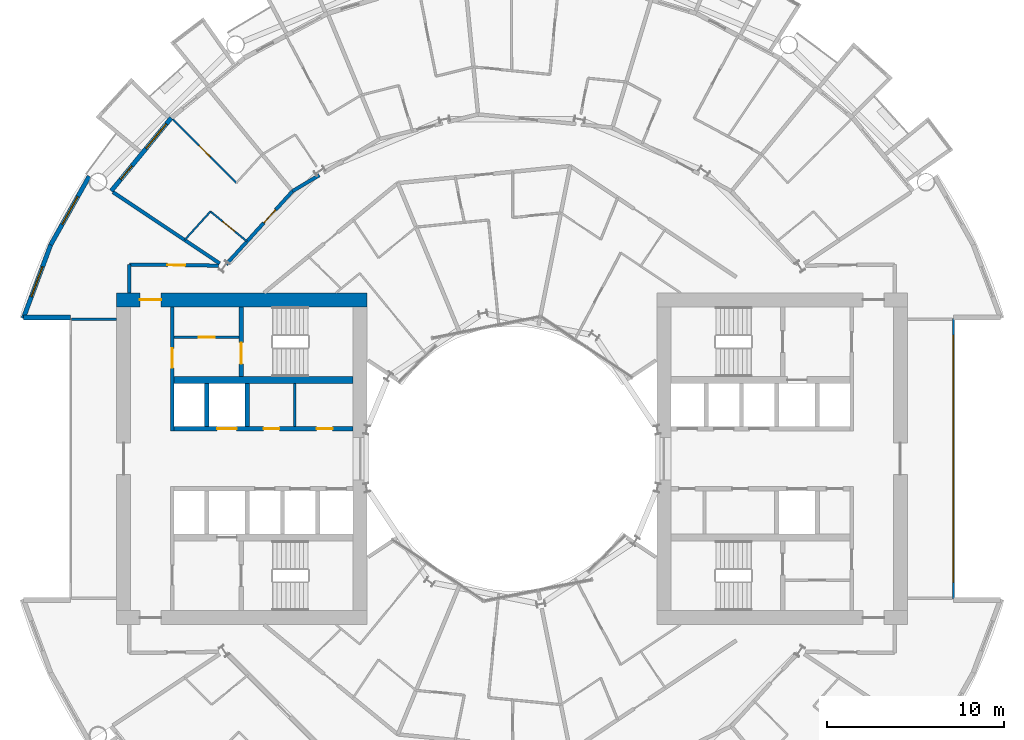
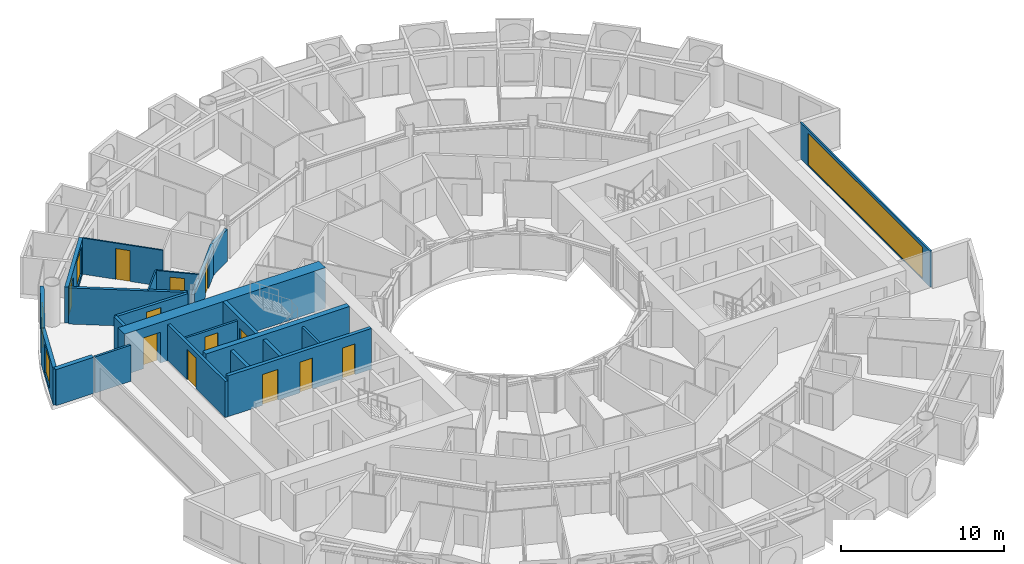
# One storey, part 18 of 26: 23 walls, 12 doors, 4 windows, 16 openings.
"""IFC4 building model written with IfcOpenShell, lengths in metres."""

from ifc_helpers import new_model, si_unit, direction, frame, frame_2d, origin, place, context, subcontext, project, spatial, rectangle, extrude, material, layer, layer_set, type_object, element, fill, save


model = new_model("IFC4")

# Units and contexts
model_context = context("Model", 3, precision=1e-05, world=origin(), true_north=direction((0.0, 1.0)))
body_context = subcontext(model_context, "Body", "Model", "MODEL_VIEW")
ifc_project = project(units=[si_unit("LENGTHUNIT", "METRE"), si_unit("AREAUNIT", "SQUARE_METRE"), si_unit("VOLUMEUNIT", "CUBIC_METRE"), si_unit("PLANEANGLEUNIT", "RADIAN"), si_unit("MASSUNIT", "GRAM", prefix="KILO")], contexts=[model_context])

# Site, building, storey
site_placement = place(None, origin())
site = spatial("IfcSite", under=ifc_project, at=site_placement, CompositionType="ELEMENT")
building_placement = place(site_placement, origin())
building = spatial("IfcBuilding", under=site, at=building_placement, Name="Maasbend Ring Residences", CompositionType="ELEMENT")
storey_placement = place(building_placement, frame((0.0, 0.0, 25.85009765625)))
storey = spatial("IfcBuildingStorey", under=building, at=storey_placement, Name="L06", CompositionType="ELEMENT", Elevation=25.85009765625)

# Wall, openings, doors
ifc_material_1 = material(Name="Concrete C70/85", Category="concrete")
ifc_layer_1 = layer(ifc_material_1, 0.25)
ifc_layer_set_1 = layer_set([ifc_layer_1], Name="Concrete C70/85")
wall_type_1 = type_object("IfcWallType", Name="CORE WALL 250 C70/85", PredefinedType="SHEAR", material=ifc_layer_set_1)
wall_1_placement = place(storey_placement, frame((-19.14990234375, 1.699951171875, 0.0), z_axis=(0.0, 0.0, 1.0), x_axis=(1.0, 0.0, 0.0)))
wall_1 = element("IfcWall", 1, at=wall_1_placement, inside=storey, type_object=wall_type_1, Name="L06 core W wall SPS", PredefinedType="SHEAR", context=body_context, shape_type="SweptSolid", body=[
    extrude(rectangle(XDim=10.14990234375, YDim=0.25, at=frame_2d((5.074951171875, 0.0))), origin(), (0.0, 0.0, 1.0), 3.0498046875),
])
opening_1_placement = place(wall_1_placement, frame((2.449951171875, 0.0, 0.0)))
opening_1 = element("IfcOpeningElement", 2, at=opening_1_placement, cuts=wall_1, Name="Opening LD-W0605", PredefinedType="OPENING", context=body_context, shape_type="SweptSolid", body=[
    extrude(rectangle(XDim=1.10009765625, YDim=2.300048828125, at=frame_2d((0.550048828125, 1.14990234375))), frame((0.0, 0.135009765625, 0.0), z_axis=(0.0, -1.0, 0.0), x_axis=(1.0, 0.0, 0.0)), (0.0, 0.0, 1.0), 0.27001953125),
])
opening_2_placement = place(wall_1_placement, frame((8.08740234375, 0.0, 0.0)))
opening_2 = element("IfcOpeningElement", 3, at=opening_2_placement, cuts=wall_1, Name="Opening D-W0606", PredefinedType="OPENING", context=body_context, shape_type="SweptSolid", body=[
    extrude(rectangle(XDim=0.89990234375, YDim=2.300048828125, at=frame_2d((0.449951171875, 1.14990234375))), frame((0.0, 0.135009765625, 0.0), z_axis=(0.0, -1.0, 0.0), x_axis=(1.0, 0.0, 0.0)), (0.0, 0.0, 1.0), 0.27001953125),
])
opening_3_placement = place(wall_1_placement, frame((5.074951171875, 0.0, 0.0)))
opening_3 = element("IfcOpeningElement", 4, at=opening_3_placement, cuts=wall_1, Name="Opening D-W0607", PredefinedType="OPENING", context=body_context, shape_type="SweptSolid", body=[
    extrude(rectangle(XDim=0.89990234375, YDim=2.300048828125, at=frame_2d((0.449951171875, 1.14990234375))), frame((0.0, 0.135009765625, 0.0), z_axis=(0.0, -1.0, 0.0), x_axis=(1.0, 0.0, 0.0)), (0.0, 0.0, 1.0), 0.27001953125),
])
ifc_material_2 = material(Name="Stainless steel 316", Category="steel")
door_type_1 = type_object("IfcDoorType", Name="LANDING DOOR 1100 X 2300 FD60", OperationType="DOUBLE_DOOR_SLIDING", PredefinedType="DOOR", material=ifc_material_2)
door_1_placement = place(opening_1_placement, origin())
door_1 = element("IfcDoor", 5, at=door_1_placement, inside=storey, type_object=door_type_1, Name="Landing door SV-W L06", OperationType="DOUBLE_DOOR_SLIDING", OverallHeight=2.300048828125, OverallWidth=1.10009765625, PredefinedType="DOOR", context=body_context, shape_type="SweptSolid", body=[
    extrude(rectangle(XDim=1.10009765625, YDim=2.300048828125, at=frame_2d((0.550048828125, 1.14990234375))), frame((0.0, 0.02490234375, 0.0), z_axis=(0.0, -1.0, 0.0), x_axis=(1.0, 0.0, 0.0)), (0.0, 0.0, 1.0), 0.050048828125),
])
fill(opening_1, door_1)
ifc_material_3 = material(Name="Steel, powder coated", Category="steel")
door_type_2 = type_object("IfcDoorType", Name="ROOM DOOR 900 X 2300 FD30S", OperationType="NOTDEFINED", PredefinedType="DOOR", material=ifc_material_3)
door_2_placement = place(opening_2_placement, origin())
door_2 = element("IfcDoor", 6, at=door_2_placement, inside=storey, type_object=door_type_2, Name="Room door L06", OperationType="SINGLE_SWING_LEFT", OverallHeight=2.300048828125, OverallWidth=0.89990234375, PredefinedType="DOOR", context=body_context, shape_type="SweptSolid", body=[
    extrude(rectangle(XDim=0.89990234375, YDim=2.300048828125, at=frame_2d((0.449951171875, 1.14990234375))), frame((0.0, 0.02490234375, 0.0), z_axis=(0.0, -1.0, 0.0), x_axis=(1.0, 0.0, 0.0)), (0.0, 0.0, 1.0), 0.050048828125),
])
fill(opening_2, door_2)
door_3_placement = place(opening_3_placement, origin())
door_3 = element("IfcDoor", 7, at=door_3_placement, inside=storey, type_object=door_type_2, Name="Room door L06", OperationType="SINGLE_SWING_LEFT", OverallHeight=2.300048828125, OverallWidth=0.89990234375, PredefinedType="DOOR", context=body_context, shape_type="SweptSolid", body=[
    extrude(rectangle(XDim=0.89990234375, YDim=2.300048828125, at=frame_2d((0.449951171875, 1.14990234375))), frame((0.0, 0.02490234375, 0.0), z_axis=(0.0, -1.0, 0.0), x_axis=(1.0, 0.0, 0.0)), (0.0, 0.0, 1.0), 0.050048828125),
])
fill(opening_3, door_3)

# Wall, opening, door
wall_2_placement = place(storey_placement, frame((-15.324951171875, 8.60009765625, 0.0), z_axis=(0.0, 0.0, 1.0), x_axis=(0.0, -1.0, 0.0)))
wall_2 = element("IfcWall", 8, at=wall_2_placement, inside=storey, type_object=wall_type_1, Name="L06 core W wall STES", PredefinedType="SHEAR", context=body_context, shape_type="SweptSolid", body=[
    extrude(rectangle(XDim=3.9501953125, YDim=0.25, at=frame_2d((1.97509765625, 0.0))), origin(), (0.0, 0.0, 1.0), 3.0498046875),
])
opening_4_placement = place(wall_2_placement, frame((2.02490234375, 0.0, 0.0)))
opening_4 = element("IfcOpeningElement", 9, at=opening_4_placement, cuts=wall_2, Name="Opening D-W0610", PredefinedType="OPENING", context=body_context, shape_type="SweptSolid", body=[
    extrude(rectangle(XDim=1.199951171875, YDim=2.300048828125, at=frame_2d((0.60009765625, 1.14990234375))), frame((0.0, 0.135009765625, 0.0), z_axis=(0.0, -1.0, 0.0), x_axis=(1.0, 0.0, 0.0)), (0.0, 0.0, 1.0), 0.27001953125),
])
ifc_material_4 = material(Name="Steel, powder coated", Category="steel")
door_type_3 = type_object("IfcDoorType", Name="STAIR DOOR 1200 X 2300 FD60", OperationType="NOTDEFINED", PredefinedType="DOOR", material=ifc_material_4)
door_4_placement = place(opening_4_placement, origin())
door_4 = element("IfcDoor", 10, at=door_4_placement, inside=storey, type_object=door_type_3, Name="Stair door ST-W L06", OperationType="SINGLE_SWING_LEFT", OverallHeight=2.300048828125, OverallWidth=1.199951171875, PredefinedType="DOOR", context=body_context, shape_type="SweptSolid", body=[
    extrude(rectangle(XDim=1.199951171875, YDim=2.300048828125, at=frame_2d((0.60009765625, 1.14990234375))), frame((0.0, 0.02490234375, 0.0), z_axis=(0.0, -1.0, 0.0), x_axis=(1.0, 0.0, 0.0)), (0.0, 0.0, 1.0), 0.050048828125),
])
fill(opening_4, door_4)

# Wall
ifc_material_5 = material(Name="Concrete C70/85", Category="concrete")
ifc_layer_2 = layer(ifc_material_5, 0.375)
ifc_layer_set_2 = layer_set([ifc_layer_2], Name="Concrete C70/85")
wall_type_2 = type_object("IfcWallType", Name="CORE WALL 375 C70/85", PredefinedType="SHEAR", material=ifc_layer_set_2)
wall_3_placement = place(storey_placement, frame((-9.0, 4.46240234375, 0.0), z_axis=(0.0, 0.0, 1.0), x_axis=(-1.0, 0.0, 0.0)))
element("IfcWall", 11, at=wall_3_placement, inside=storey, type_object=wall_type_2, Name="L06 core W wall BS", PredefinedType="SHEAR", context=body_context, shape_type="SweptSolid", body=[
    extrude(rectangle(XDim=10.14990234375, YDim=0.375, at=frame_2d((5.074951171875, 0.0))), origin(), (0.0, 0.0, 1.0), 3.0498046875),
])

# Wall, opening, door
ifc_material_6 = material(Name="Concrete C70/85", Category="concrete")
ifc_layer_3 = layer(ifc_material_6, 0.800048828125)
ifc_layer_set_3 = layer_set([ifc_layer_3], Name="Concrete C70/85")
wall_type_3 = type_object("IfcWallType", Name="CORE WALL 800 C70/85", PredefinedType="SHEAR", material=ifc_layer_set_3)
wall_4_placement = place(storey_placement, frame((-8.199951171875, 9.0, 0.0), z_axis=(0.0, 0.0, 1.0), x_axis=(-1.0, 0.0, 0.0)))
wall_4 = element("IfcWall", 12, at=wall_4_placement, inside=storey, type_object=wall_type_3, Name="L06 core W wall PS", PredefinedType="SHEAR", context=body_context, shape_type="SweptSolid", body=[
    extrude(rectangle(XDim=14.199951171875, YDim=0.800048828125, at=frame_2d((7.10009765625, 0.0))), origin(), (0.0, 0.0, 1.0), 3.0498046875),
])
opening_5_placement = place(wall_4_placement, frame((11.675048828125, 0.0, 0.0)))
opening_5 = element("IfcOpeningElement", 13, at=opening_5_placement, cuts=wall_4, Name="Opening D-W0614", PredefinedType="OPENING", context=body_context, shape_type="SweptSolid", body=[
    extrude(rectangle(XDim=1.199951171875, YDim=2.300048828125, at=frame_2d((0.60009765625, 1.14990234375))), frame((0.0, 0.41015625, 0.0), z_axis=(0.0, -1.0, 0.0), x_axis=(1.0, 0.0, 0.0)), (0.0, 0.0, 1.0), 0.820068359375),
])
ifc_material_7 = material(Name="Steel, powder coated", Category="steel")
door_type_4 = type_object("IfcDoorType", Name="CORRIDOR DOOR 1200 X 2300 FD30S", OperationType="NOTDEFINED", PredefinedType="DOOR", material=ifc_material_7)
door_5_placement = place(opening_5_placement, origin())
door_5 = element("IfcDoor", 14, at=door_5_placement, inside=storey, type_object=door_type_4, Name="Corridor door L06", OperationType="SINGLE_SWING_LEFT", OverallHeight=2.300048828125, OverallWidth=1.199951171875, PredefinedType="DOOR", context=body_context, shape_type="SweptSolid", body=[
    extrude(rectangle(XDim=1.199951171875, YDim=2.300048828125, at=frame_2d((0.60009765625, 1.14990234375))), frame((0.0, 0.02490234375, 0.0), z_axis=(0.0, -1.0, 0.0), x_axis=(1.0, 0.0, 0.0)), (0.0, 0.0, 1.0), 0.050048828125),
])
fill(opening_5, door_5)

ifc_material_8 = material(Name="Concrete C30/37", Category="concrete")
ifc_layer_4 = layer(ifc_material_8, 0.199951171875)
ifc_layer_set_4 = layer_set([ifc_layer_4], Name="Concrete C30/37")
wall_type_4 = type_object("IfcWallType", Name="CORRIDOR WALL 200 CONCRETE", PredefinedType="PARTITIONING", material=ifc_layer_set_4)
wall_5_placement = place(storey_placement, frame((-21.675048828125, 11.0, 0.0), z_axis=(0.0, 0.0, 1.0), x_axis=(0.99992425795, -0.012307654658, 0.0)))
wall_5 = element("IfcWall", 15, at=wall_5_placement, inside=storey, type_object=wall_type_4, Name="U-L06-w098", PredefinedType="PARTITIONING", context=body_context, shape_type="SweptSolid", body=[
    extrude(rectangle(XDim=5.03857421875, YDim=0.199951171875, at=frame_2d((2.519287109375, 0.0))), origin(), (0.0, 0.0, 1.0), 2.699951171875),
])
opening_6_placement = place(wall_5_placement, frame((2.155029296875, 0.0, 0.0)))
opening_6 = element("IfcOpeningElement", 16, at=opening_6_placement, cuts=wall_5, Name="Opening D-0666", PredefinedType="OPENING", context=body_context, shape_type="SweptSolid", body=[
    extrude(rectangle(XDim=1.0, YDim=2.300048828125, at=frame_2d((0.5, 1.14990234375))), frame((0.0, 0.10986328125, 0.0), z_axis=(0.0, -1.0, 0.0), x_axis=(1.0, 0.0, 0.0)), (0.0, 0.0, 1.0), 0.219970703125),
])
ifc_material_9 = material(Name="Timber, painted", Category="wood")
door_type_5 = type_object("IfcDoorType", Name="ROOM DOOR 1000 X 2300", OperationType="NOTDEFINED", PredefinedType="DOOR", material=ifc_material_9)
door_6_placement = place(opening_6_placement, origin())
door_6 = element("IfcDoor", 17, at=door_6_placement, inside=storey, type_object=door_type_5, Name="D-0666", OperationType="SINGLE_SWING_RIGHT", OverallHeight=2.300048828125, OverallWidth=1.0, PredefinedType="DOOR", context=body_context, shape_type="SweptSolid", body=[
    extrude(rectangle(XDim=1.0, YDim=2.300048828125, at=frame_2d((0.5, 1.14990234375))), frame((0.0, 0.02490234375, 0.0), z_axis=(0.0, -1.0, 0.0), x_axis=(1.0, 0.0, 0.0)), (0.0, 0.0, 1.0), 0.050048828125),
])
fill(opening_6, door_6)

wall_6_placement = place(storey_placement, frame((-16.193115234375, 11.0029296875, 0.0), z_axis=(0.0, 0.0, 1.0), x_axis=(0.671514934772, 0.740991020444, 0.0)))
wall_6 = element("IfcWall", 18, at=wall_6_placement, inside=storey, type_object=wall_type_4, Name="U-L06-w113", PredefinedType="PARTITIONING", context=body_context, shape_type="SweptSolid", body=[
    extrude(rectangle(XDim=5.597900390625, YDim=0.199951171875, at=frame_2d((2.798828125, 0.0))), origin(), (0.0, 0.0, 1.0), 2.3798828125),
])
opening_7_placement = place(wall_6_placement, frame((3.179931640625, 0.0, 0.0)))
opening_7 = element("IfcOpeningElement", 19, at=opening_7_placement, cuts=wall_6, Name="Opening D-0618", PredefinedType="OPENING", context=body_context, shape_type="SweptSolid", body=[
    extrude(rectangle(XDim=1.0, YDim=2.300048828125, at=frame_2d((0.5, 1.14990234375))), frame((0.0, 0.10986328125, 0.0), z_axis=(0.0, -1.0, 0.0), x_axis=(1.0, 0.0, 0.0)), (0.0, 0.0, 1.0), 0.219970703125),
])
ifc_material_10 = material(Name="Timber, fire-rated, painted", Category="wood")
door_type_6 = type_object("IfcDoorType", Name="FLAT ENTRANCE DOOR 1000 X 2300 FIRE-RATED", OperationType="NOTDEFINED", PredefinedType="DOOR", material=ifc_material_10)
door_7_placement = place(opening_7_placement, origin())
door_7 = element("IfcDoor", 20, at=door_7_placement, inside=storey, type_object=door_type_6, Name="D-0618", OperationType="SINGLE_SWING_RIGHT", OverallHeight=2.300048828125, OverallWidth=1.0, PredefinedType="DOOR", context=body_context, shape_type="SweptSolid", body=[
    extrude(rectangle(XDim=1.0, YDim=2.300048828125, at=frame_2d((0.5, 1.14990234375))), frame((0.0, 0.02490234375, 0.0), z_axis=(0.0, -1.0, 0.0), x_axis=(1.0, 0.0, 0.0)), (0.0, 0.0, 1.0), 0.050048828125),
])
fill(opening_7, door_7)

# Walls
wall_7_placement = place(storey_placement, frame((-12.43408203125, 15.15087890625, 0.0), z_axis=(0.0, 0.0, 1.0), x_axis=(0.857809047014, 0.513968519329, 0.0)))
element("IfcWall", 21, at=wall_7_placement, inside=storey, type_object=wall_type_4, Name="U-L06-w114", PredefinedType="PARTITIONING", context=body_context, shape_type="SweptSolid", body=[
    extrude(rectangle(XDim=1.770751953125, YDim=0.199951171875, at=frame_2d((0.88525390625, 0.0))), origin(), (0.0, 0.0, 1.0), 2.3798828125),
])
wall_8_placement = place(storey_placement, frame((-21.675048828125, 9.39990234375, 0.0), z_axis=(0.0, 0.0, 1.0), x_axis=(0.0, 1.0, 0.0)))
element("IfcWall", 22, at=wall_8_placement, inside=storey, type_object=wall_type_4, Name="U-L06-w120", PredefinedType="PARTITIONING", context=body_context, shape_type="SweptSolid", body=[
    extrude(rectangle(XDim=1.60009765625, YDim=0.199951171875, at=frame_2d((0.800048828125, 0.0))), origin(), (0.0, 0.0, 1.0), 2.699951171875),
])

# Wall, openings, door, window
ifc_material_11 = material(Name="Aluminium clad insulated panel", Category="aluminium")
ifc_layer_5 = layer(ifc_material_11, 0.25)
ifc_layer_set_5 = layer_set([ifc_layer_5], Name="EW-GL")
wall_type_5 = type_object("IfcWallType", Name="EW-GL", PredefinedType="SOLIDWALL", material=ifc_layer_set_5)
wall_9_placement = place(storey_placement, frame((-19.303955078125, 19.303955078125, 0.0), z_axis=(0.0, 0.0, 1.0), x_axis=(-0.634382322723, -0.773019449054, 0.0)))
wall_9 = element("IfcWall", 23, at=wall_9_placement, inside=storey, type_object=wall_type_5, Name="External wall N10", PredefinedType="SOLIDWALL", context=body_context, shape_type="SweptSolid", body=[
    extrude(rectangle(XDim=5.351806640625, YDim=0.25, at=frame_2d((2.67578125, 0.0))), origin(), (0.0, 0.0, 1.0), 2.699951171875),
])
opening_8_placement = place(wall_9_placement, frame((0.441162109375, 0.0, 0.300048828125)))
opening_8 = element("IfcOpeningElement", 24, at=opening_8_placement, cuts=wall_9, Name="Opening W-BX", PredefinedType="OPENING", context=body_context, shape_type="SweptSolid", body=[
    extrude(rectangle(XDim=1.800048828125, YDim=2.10009765625, at=frame_2d((0.89990234375, 1.050048828125))), frame((0.0, 0.135009765625, 0.0), z_axis=(0.0, -1.0, 0.0), x_axis=(1.0, 0.0, 0.0)), (0.0, 0.0, 1.0), 0.27001953125),
])
opening_9_placement = place(wall_9_placement, frame((3.510498046875, 0.0, 0.0)))
opening_9 = element("IfcOpeningElement", 25, at=opening_9_placement, cuts=wall_9, Name="Opening D-LG", PredefinedType="OPENING", context=body_context, shape_type="SweptSolid", body=[
    extrude(rectangle(XDim=1.0, YDim=2.199951171875, at=frame_2d((0.5, 1.10009765625))), frame((0.0, 0.135009765625, 0.0), z_axis=(0.0, -1.0, 0.0), x_axis=(1.0, 0.0, 0.0)), (0.0, 0.0, 1.0), 0.27001953125),
])
ifc_material_12 = material(Name="Aluminium and clear glass", Category="aluminium")
door_type_7 = type_object("IfcDoorType", Name="D-LG", OperationType="SINGLE_SWING_LEFT", PredefinedType="DOOR", material=ifc_material_12)
door_8_placement = place(opening_9_placement, origin())
door_8 = element("IfcDoor", 26, at=door_8_placement, inside=storey, type_object=door_type_7, Name="Loggia door N20", OperationType="SINGLE_SWING_LEFT", OverallHeight=2.199951171875, OverallWidth=1.0, PredefinedType="DOOR", context=body_context, shape_type="SweptSolid", body=[
    extrude(rectangle(XDim=1.0, YDim=2.199951171875, at=frame_2d((0.5, 1.10009765625))), frame((0.0, 0.02490234375, 0.0), z_axis=(0.0, -1.0, 0.0), x_axis=(1.0, 0.0, 0.0)), (0.0, 0.0, 1.0), 0.050048828125),
])
fill(opening_9, door_8)
ifc_material_13 = material(Name="Aluminium and clear glass", Category="aluminium")
window_type_1 = type_object("IfcWindowType", Name="W-BX", PartitioningType="DOUBLE_PANEL_VERTICAL", PredefinedType="WINDOW", material=ifc_material_13)
window_1_placement = place(opening_8_placement, origin())
window_1 = element("IfcWindow", 27, at=window_1_placement, inside=storey, type_object=window_type_1, Name="Window N19 room to box", OverallHeight=2.10009765625, OverallWidth=1.800048828125, PartitioningType="SINGLE_PANEL", PredefinedType="WINDOW", context=body_context, shape_type="SweptSolid", body=[
    extrude(rectangle(XDim=1.800048828125, YDim=2.10009765625, at=frame_2d((0.89990234375, 1.050048828125))), frame((0.0, 0.030029296875, 0.0), z_axis=(0.0, -1.0, 0.0), x_axis=(1.0, 0.0, 0.0)), (0.0, 0.0, 1.0), 0.06005859375),
])
fill(opening_8, window_1)

# Wall, opening, window
ifc_material_14 = material(Name="Aluminium clad insulated panel", Category="aluminium")
ifc_layer_6 = layer(ifc_material_14, 0.25)
ifc_layer_set_6 = layer_set([ifc_layer_6], Name="EW-HORN")
wall_type_6 = type_object("IfcWallType", Name="EW-HORN", PredefinedType="SOLIDWALL", material=ifc_layer_set_6)
wall_10_placement = place(storey_placement, frame((-23.946044921875, 16.0, 0.0), z_axis=(0.0, 0.0, 1.0), x_axis=(-0.489696356642, -0.871893042919, 0.0)))
wall_10 = element("IfcWall", 28, at=wall_10_placement, inside=storey, type_object=wall_type_6, Name="Horn wall 4.1", PredefinedType="SOLIDWALL", context=body_context, shape_type="SweptSolid", body=[
    extrude(rectangle(XDim=4.45361328125, YDim=0.25, at=frame_2d((2.226806640625, 0.0))), origin(), (0.0, 0.0, 1.0), 2.699951171875),
])
opening_10_placement = place(wall_10_placement, frame((1.32666015625, 0.0, 0.300048828125)))
opening_10 = element("IfcOpeningElement", 29, at=opening_10_placement, cuts=wall_10, Name="Opening W-BX", PredefinedType="OPENING", context=body_context, shape_type="SweptSolid", body=[
    extrude(rectangle(XDim=1.800048828125, YDim=2.10009765625, at=frame_2d((0.89990234375, 1.050048828125))), frame((0.0, 0.135009765625, 0.0), z_axis=(0.0, -1.0, 0.0), x_axis=(1.0, 0.0, 0.0)), (0.0, 0.0, 1.0), 0.27001953125),
])
window_2_placement = place(opening_10_placement, origin())
window_2 = element("IfcWindow", 30, at=window_2_placement, inside=storey, type_object=window_type_1, Name="Horn window 4.1", OverallHeight=2.10009765625, OverallWidth=1.800048828125, PartitioningType="SINGLE_PANEL", PredefinedType="WINDOW", context=body_context, shape_type="SweptSolid", body=[
    extrude(rectangle(XDim=1.800048828125, YDim=2.10009765625, at=frame_2d((0.89990234375, 1.050048828125))), frame((0.0, 0.030029296875, 0.0), z_axis=(0.0, -1.0, 0.0), x_axis=(1.0, 0.0, 0.0)), (0.0, 0.0, 1.0), 0.06005859375),
])
fill(opening_10, window_2)

wall_11_placement = place(storey_placement, frame((-26.126953125, 12.116943359375, 0.0), z_axis=(0.0, 0.0, 1.0), x_axis=(-0.349247811493, -0.937030397675, 0.0)))
wall_11 = element("IfcWall", 31, at=wall_11_placement, inside=storey, type_object=wall_type_6, Name="Horn wall 4.2", PredefinedType="SOLIDWALL", context=body_context, shape_type="SweptSolid", body=[
    extrude(rectangle(XDim=4.4521484375, YDim=0.25, at=frame_2d((2.22607421875, 0.0))), origin(), (0.0, 0.0, 1.0), 2.699951171875),
])
opening_11_placement = place(wall_11_placement, frame((1.32666015625, 0.0, 0.300048828125)))
opening_11 = element("IfcOpeningElement", 32, at=opening_11_placement, cuts=wall_11, Name="Opening W-BX", PredefinedType="OPENING", context=body_context, shape_type="SweptSolid", body=[
    extrude(rectangle(XDim=1.800048828125, YDim=2.10009765625, at=frame_2d((0.89990234375, 1.050048828125))), frame((0.0, 0.135009765625, 0.0), z_axis=(0.0, -1.0, 0.0), x_axis=(1.0, 0.0, 0.0)), (0.0, 0.0, 1.0), 0.27001953125),
])
window_3_placement = place(opening_11_placement, origin())
window_3 = element("IfcWindow", 33, at=window_3_placement, inside=storey, type_object=window_type_1, Name="Horn window 4.2", OverallHeight=2.10009765625, OverallWidth=1.800048828125, PartitioningType="SINGLE_PANEL", PredefinedType="WINDOW", context=body_context, shape_type="SweptSolid", body=[
    extrude(rectangle(XDim=1.800048828125, YDim=2.10009765625, at=frame_2d((0.89990234375, 1.050048828125))), frame((0.0, 0.030029296875, 0.0), z_axis=(0.0, -1.0, 0.0), x_axis=(1.0, 0.0, 0.0)), (0.0, 0.0, 1.0), 0.06005859375),
])
fill(opening_11, window_3)

# Wall
ifc_material_15 = material(Name="Aluminium clad insulated panel", Category="aluminium")
ifc_layer_7 = layer(ifc_material_15, 0.300048828125)
ifc_layer_set_7 = layer_set([ifc_layer_7], Name="EW-RET")
wall_type_7 = type_object("IfcWallType", Name="EW-RET", PredefinedType="SOLIDWALL", material=ifc_layer_set_7)
wall_12_placement = place(storey_placement, frame((-25.0, 8.0, 0.0), z_axis=(0.0, 0.0, 1.0), x_axis=(-1.0, 0.0, 0.0)))
element("IfcWall", 34, at=wall_12_placement, inside=storey, type_object=wall_type_7, Name="Notch return wall west north", PredefinedType="SOLIDWALL", context=body_context, shape_type="SweptSolid", body=[
    extrude(rectangle(XDim=2.6669921875, YDim=0.300048828125, at=frame_2d((1.33349609375, 0.0))), origin(), (0.0, 0.0, 1.0), 2.699951171875),
])

# Wall, opening, window
ifc_material_16 = material(Name="Aluminium frame and clear glass", Category="aluminium")
ifc_layer_8 = layer(ifc_material_16, 0.1201171875)
ifc_layer_set_8 = layer_set([ifc_layer_8], Name="GLAZED SCREEN WALL 120 EI 60")
wall_type_8 = type_object("IfcWallType", Name="GLAZED SCREEN WALL 120 EI 60", PredefinedType="PARTITIONING", material=ifc_layer_set_8)
wall_13_placement = place(storey_placement, frame((25.0, -7.949951171875, 0.0), z_axis=(0.0, 0.0, 1.0), x_axis=(0.0, 1.0, 0.0)))
wall_13 = element("IfcWall", 35, at=wall_13_placement, inside=storey, type_object=wall_type_8, Name="L06 core E wall FACE", PredefinedType="PARTITIONING", context=body_context, shape_type="SweptSolid", body=[
    extrude(rectangle(XDim=15.89990234375, YDim=0.1201171875, at=frame_2d((7.949951171875, 0.0))), origin(), (0.0, 0.0, 1.0), 2.699951171875),
])
opening_12_placement = place(wall_13_placement, frame((0.949951171875, 0.0, 0.10009765625)))
opening_12 = element("IfcOpeningElement", 36, at=opening_12_placement, cuts=wall_13, Name="Opening W-E0602", PredefinedType="OPENING", context=body_context, shape_type="SweptSolid", body=[
    extrude(rectangle(XDim=14.0, YDim=2.35009765625, at=frame_2d((7.0, 1.175048828125))), frame((0.0, 0.070068359375, 0.0), z_axis=(0.0, -1.0, 0.0), x_axis=(1.0, 0.0, 0.0)), (0.0, 0.0, 1.0), 0.14013671875),
])
ifc_material_17 = material(Name="Aluminium frame and clear glass", Category="aluminium")
window_type_2 = type_object("IfcWindowType", Name="FIXED WINDOW 14000 X 2350", PartitioningType="SINGLE_PANEL", PredefinedType="WINDOW", material=ifc_material_17)
window_4_placement = place(opening_12_placement, origin())
window_4 = element("IfcWindow", 37, at=window_4_placement, inside=storey, type_object=window_type_2, Name="Lobby window L06", OverallHeight=2.35009765625, OverallWidth=14.0, PartitioningType="SINGLE_PANEL", PredefinedType="WINDOW", context=body_context, shape_type="SweptSolid", body=[
    extrude(rectangle(XDim=14.0, YDim=2.35009765625, at=frame_2d((7.0, 1.175048828125))), frame((0.0, 0.030029296875, 0.0), z_axis=(0.0, -1.0, 0.0), x_axis=(1.0, 0.0, 0.0)), (0.0, 0.0, 1.0), 0.06005859375),
])
fill(opening_12, window_4)

# Wall, opening, door
ifc_material_18 = material(Name="Gypsum board on steel studs", Category="steel")
ifc_layer_9 = layer(ifc_material_18, 0.10009765625)
ifc_layer_set_9 = layer_set([ifc_layer_9], Name="PARTITION 100 GYPSUM")
wall_type_9 = type_object("IfcWallType", Name="PARTITION 100 GYPSUM", PredefinedType="PARTITIONING", material=ifc_layer_set_9)
wall_14_placement = place(storey_placement, frame((-19.2099609375, 19.221923828125, 0.0), z_axis=(0.0, 0.0, 1.0), x_axis=(0.706914880313, -0.707298629994, 0.0)))
wall_14 = element("IfcWall", 38, at=wall_14_placement, inside=storey, type_object=wall_type_9, Name="U-L06-w036", PredefinedType="PARTITIONING", context=body_context, shape_type="SweptSolid", body=[
    extrude(rectangle(XDim=5.089599609375, YDim=0.10009765625, at=frame_2d((2.544921875, 0.0))), origin(), (0.0, 0.0, 1.0), 2.699951171875),
])
opening_13_placement = place(wall_14_placement, frame((2.094970703125, 0.0, 0.0)))
opening_13 = element("IfcOpeningElement", 39, at=opening_13_placement, cuts=wall_14, Name="Opening D-0620", PredefinedType="OPENING", context=body_context, shape_type="SweptSolid", body=[
    extrude(rectangle(XDim=0.89990234375, YDim=2.300048828125, at=frame_2d((0.449951171875, 1.14990234375))), frame((0.0, 0.06005859375, 0.0), z_axis=(0.0, -1.0, 0.0), x_axis=(1.0, 0.0, 0.0)), (0.0, 0.0, 1.0), 0.1201171875),
])
ifc_material_19 = material(Name="Timber, painted", Category="wood")
door_type_8 = type_object("IfcDoorType", Name="INTERNAL DOOR 900 X 2300", OperationType="NOTDEFINED", PredefinedType="DOOR", material=ifc_material_19)
door_9_placement = place(opening_13_placement, origin())
door_9 = element("IfcDoor", 40, at=door_9_placement, inside=storey, type_object=door_type_8, Name="D-0620", OperationType="SINGLE_SWING_RIGHT", OverallHeight=2.300048828125, OverallWidth=0.89990234375, PredefinedType="DOOR", context=body_context, shape_type="SweptSolid", body=[
    extrude(rectangle(XDim=0.89990234375, YDim=2.300048828125, at=frame_2d((0.449951171875, 1.14990234375))), frame((0.0, 0.02490234375, 0.0), z_axis=(0.0, -1.0, 0.0), x_axis=(1.0, 0.0, 0.0)), (0.0, 0.0, 1.0), 0.050048828125),
])
fill(opening_13, door_9)

wall_15_placement = place(storey_placement, frame((-17.0791015625, 14.00390625, 0.0), z_axis=(0.0, 0.0, 1.0), x_axis=(0.773424377054, -0.633888580887, 0.0)))
wall_15 = element("IfcWall", 41, at=wall_15_placement, inside=storey, type_object=wall_type_9, Name="U-L06-w039", PredefinedType="PARTITIONING", context=body_context, shape_type="SweptSolid", body=[
    extrude(rectangle(XDim=2.67529296875, YDim=0.10009765625, at=frame_2d((1.337646484375, 0.0))), origin(), (0.0, 0.0, 1.0), 2.699951171875),
])
opening_14_placement = place(wall_15_placement, frame((0.887939453125, 0.0, 0.0)))
opening_14 = element("IfcOpeningElement", 42, at=opening_14_placement, cuts=wall_15, Name="Opening D-0619", PredefinedType="OPENING", context=body_context, shape_type="SweptSolid", body=[
    extrude(rectangle(XDim=0.89990234375, YDim=2.300048828125, at=frame_2d((0.449951171875, 1.14990234375))), frame((0.0, 0.06005859375, 0.0), z_axis=(0.0, -1.0, 0.0), x_axis=(1.0, 0.0, 0.0)), (0.0, 0.0, 1.0), 0.1201171875),
])
door_10_placement = place(opening_14_placement, origin())
door_10 = element("IfcDoor", 43, at=door_10_placement, inside=storey, type_object=door_type_8, Name="D-0619", OperationType="SINGLE_SWING_LEFT", OverallHeight=2.300048828125, OverallWidth=0.89990234375, PredefinedType="DOOR", context=body_context, shape_type="SweptSolid", body=[
    extrude(rectangle(XDim=0.89990234375, YDim=2.300048828125, at=frame_2d((0.449951171875, 1.14990234375))), frame((0.0, 0.02490234375, 0.0), z_axis=(0.0, -1.0, 0.0), x_axis=(1.0, 0.0, 0.0)), (0.0, 0.0, 1.0), 0.050048828125),
])
fill(opening_14, door_10)

# Walls
wall_16_placement = place(storey_placement, frame((-18.5380859375, 12.39404296875, 0.0), z_axis=(0.0, 0.0, 1.0), x_axis=(0.67169789574, 0.740825172937, 0.0)))
element("IfcWall", 44, at=wall_16_placement, inside=storey, type_object=wall_type_9, Name="U-L06-w125", PredefinedType="PARTITIONING", context=body_context, shape_type="SweptSolid", body=[
    extrude(rectangle(XDim=2.1826171875, YDim=0.10009765625, at=frame_2d((1.09130859375, 0.0))), origin(), (0.0, 0.0, 1.0), 2.699951171875),
])
ifc_material_20 = material(Name="Gypsum board on steel studs", Category="steel")
ifc_layer_10 = layer(ifc_material_20, 0.14990234375)
ifc_layer_set_10 = layer_set([ifc_layer_10], Name="PARTITION 150 EI 60")
wall_type_10 = type_object("IfcWallType", Name="PARTITION 150 EI 60", PredefinedType="PARTITIONING", material=ifc_layer_set_10)
wall_17_placement = place(storey_placement, frame((-12.300048828125, 1.824951171875, 0.0), z_axis=(0.0, 0.0, 1.0), x_axis=(0.0, 1.0, 0.0)))
element("IfcWall", 45, at=wall_17_placement, inside=storey, type_object=wall_type_10, Name="L06 core W wall PRS1230", PredefinedType="PARTITIONING", context=body_context, shape_type="SweptSolid", body=[
    extrude(rectangle(XDim=2.449951171875, YDim=0.14990234375, at=frame_2d((1.22509765625, 0.0))), origin(), (0.0, 0.0, 1.0), 2.699951171875),
])

# Wall, opening, door
wall_18_placement = place(storey_placement, frame((-15.449951171875, 6.875, 0.0), z_axis=(0.0, 0.0, 1.0), x_axis=(-1.0, 0.0, 0.0)))
wall_18 = element("IfcWall", 46, at=wall_18_placement, inside=storey, type_object=wall_type_10, Name="L06 core W wall RHS", PredefinedType="PARTITIONING", context=body_context, shape_type="SweptSolid", body=[
    extrude(rectangle(XDim=3.699951171875, YDim=0.14990234375, at=frame_2d((1.85009765625, 0.0))), origin(), (0.0, 0.0, 1.0), 2.699951171875),
])
opening_15_placement = place(wall_18_placement, frame((1.39990234375, 0.0, 0.0)))
opening_15 = element("IfcOpeningElement", 47, at=opening_15_placement, cuts=wall_18, Name="Opening D-W0608", PredefinedType="OPENING", context=body_context, shape_type="SweptSolid", body=[
    extrude(rectangle(XDim=0.89990234375, YDim=2.300048828125, at=frame_2d((0.449951171875, 1.14990234375))), frame((0.0, 0.0849609375, 0.0), z_axis=(0.0, -1.0, 0.0), x_axis=(1.0, 0.0, 0.0)), (0.0, 0.0, 1.0), 0.169921875),
])
ifc_material_21 = material(Name="Steel, powder coated", Category="steel")
door_type_9 = type_object("IfcDoorType", Name="RISER DOOR 900 X 2300 FD60", OperationType="NOTDEFINED", PredefinedType="DOOR", material=ifc_material_21)
door_11_placement = place(opening_15_placement, origin())
door_11 = element("IfcDoor", 48, at=door_11_placement, inside=storey, type_object=door_type_9, Name="Riser door L06", OperationType="SINGLE_SWING_LEFT", OverallHeight=2.300048828125, OverallWidth=0.89990234375, PredefinedType="DOOR", context=body_context, shape_type="SweptSolid", body=[
    extrude(rectangle(XDim=0.89990234375, YDim=2.300048828125, at=frame_2d((0.449951171875, 1.14990234375))), frame((0.0, 0.02490234375, 0.0), z_axis=(0.0, -1.0, 0.0), x_axis=(1.0, 0.0, 0.0)), (0.0, 0.0, 1.0), 0.050048828125),
])
fill(opening_15, door_11)

# Walls
wall_19_placement = place(storey_placement, frame((-22.39990234375, 7.89990234375, 0.0), z_axis=(0.0, 0.0, 1.0), x_axis=(-1.0, 0.0, 0.0)))
element("IfcWall", 49, at=wall_19_placement, inside=storey, type_object=wall_type_10, Name="L06 core W wall CITS", PredefinedType="PARTITIONING", context=body_context, shape_type="SweptSolid", body=[
    extrude(rectangle(XDim=2.5400390625, YDim=0.14990234375, at=frame_2d((1.27001953125, 0.0))), origin(), (0.0, 0.0, 1.0), 2.699951171875),
])
ifc_material_22 = material(Name="Concrete C30/37", Category="concrete")
ifc_layer_11 = layer(ifc_material_22, 0.199951171875)
ifc_layer_set_11 = layer_set([ifc_layer_11], Name="Concrete C30/37")
wall_type_11 = type_object("IfcWallType", Name="PARTY WALL 200 CONCRETE", PredefinedType="PARTITIONING", material=ifc_layer_set_11)
wall_20_placement = place(storey_placement, frame((-22.595947265625, 15.096923828125, 0.0), z_axis=(0.0, 0.0, 1.0), x_axis=(0.831507055747, -0.555514190857, 0.0)))
element("IfcWall", 50, at=wall_20_placement, inside=storey, type_object=wall_type_11, Name="U-L06-w033", PredefinedType="PARTITIONING", context=body_context, shape_type="SweptSolid", body=[
    extrude(rectangle(XDim=7.26513671875, YDim=0.199951171875, at=frame_2d((3.632568359375, 0.0))), origin(), (0.0, 0.0, 1.0), 2.699951171875),
])

# Wall, opening, door
ifc_material_23 = material(Name="Concrete C30/37", Category="concrete")
ifc_layer_12 = layer(ifc_material_23, 0.199951171875)
ifc_layer_set_12 = layer_set([ifc_layer_12], Name="Concrete C30/37")
wall_type_12 = type_object("IfcWallType", Name="SHAFT WALL 200 EI 120", PredefinedType="SOLIDWALL", material=ifc_layer_set_12)
wall_21_placement = place(storey_placement, frame((-19.25, 8.60009765625, 0.0), z_axis=(0.0, 0.0, 1.0), x_axis=(0.0, -1.0, 0.0)))
wall_21 = element("IfcWall", 51, at=wall_21_placement, inside=storey, type_object=wall_type_12, Name="L06 core W wall ENDS", PredefinedType="SOLIDWALL", context=body_context, shape_type="SweptSolid", body=[
    extrude(rectangle(XDim=7.025146484375, YDim=0.199951171875, at=frame_2d((3.5126953125, 0.0))), origin(), (0.0, 0.0, 1.0), 2.699951171875),
])
opening_16_placement = place(wall_21_placement, frame((2.35009765625, 0.0, 0.0)))
opening_16 = element("IfcOpeningElement", 52, at=opening_16_placement, cuts=wall_21, Name="Opening D-W0612", PredefinedType="OPENING", context=body_context, shape_type="SweptSolid", body=[
    extrude(rectangle(XDim=1.10009765625, YDim=2.300048828125, at=frame_2d((0.550048828125, 1.14990234375))), frame((0.0, 0.10986328125, 0.0), z_axis=(0.0, -1.0, 0.0), x_axis=(1.0, 0.0, 0.0)), (0.0, 0.0, 1.0), 0.219970703125),
])
ifc_material_24 = material(Name="Steel, powder coated", Category="steel")
door_type_10 = type_object("IfcDoorType", Name="LOBBY DOOR 1100 X 2300 FD60", OperationType="NOTDEFINED", PredefinedType="DOOR", material=ifc_material_24)
door_12_placement = place(opening_16_placement, origin())
door_12 = element("IfcDoor", 53, at=door_12_placement, inside=storey, type_object=door_type_10, Name="Lobby door L06", OperationType="SINGLE_SWING_RIGHT", OverallHeight=2.300048828125, OverallWidth=1.10009765625, PredefinedType="DOOR", context=body_context, shape_type="SweptSolid", body=[
    extrude(rectangle(XDim=1.10009765625, YDim=2.300048828125, at=frame_2d((0.550048828125, 1.14990234375))), frame((0.0, 0.02490234375, 0.0), z_axis=(0.0, -1.0, 0.0), x_axis=(1.0, 0.0, 0.0)), (0.0, 0.0, 1.0), 0.050048828125),
])
fill(opening_16, door_12)

# Walls
ifc_material_25 = material(Name="Concrete C30/37", Category="concrete")
ifc_layer_13 = layer(ifc_material_25, 0.25)
ifc_layer_set_13 = layer_set([ifc_layer_13], Name="Concrete C30/37")
wall_type_13 = type_object("IfcWallType", Name="SHAFT WALL 250 EI 120", PredefinedType="SOLIDWALL", material=ifc_layer_set_13)
for number, where, z_axis, x_axis, name in (
    (54, (-15.0, 1.824951171875, 0.0), (0.0, 0.0, 1.0), (0.0, 1.0, 0.0), "L06 core W wall D150S"),
    (55, (-17.300048828125, 1.824951171875, 0.0), (0.0, 0.0, 1.0), (0.0, 1.0, 0.0), "L06 core W wall D173S"),
):
    element("IfcWall", number, at=place(storey_placement, frame(where, z_axis=z_axis, x_axis=x_axis)), inside=storey, type_object=wall_type_13, Name=name, PredefinedType="SOLIDWALL", context=body_context, shape_type="SweptSolid", body=[
        extrude(rectangle(XDim=2.449951171875, YDim=0.25, at=frame_2d((1.22509765625, 0.0))), origin(), (0.0, 0.0, 1.0), 2.699951171875),
    ])

save(model, "model.ifc")
